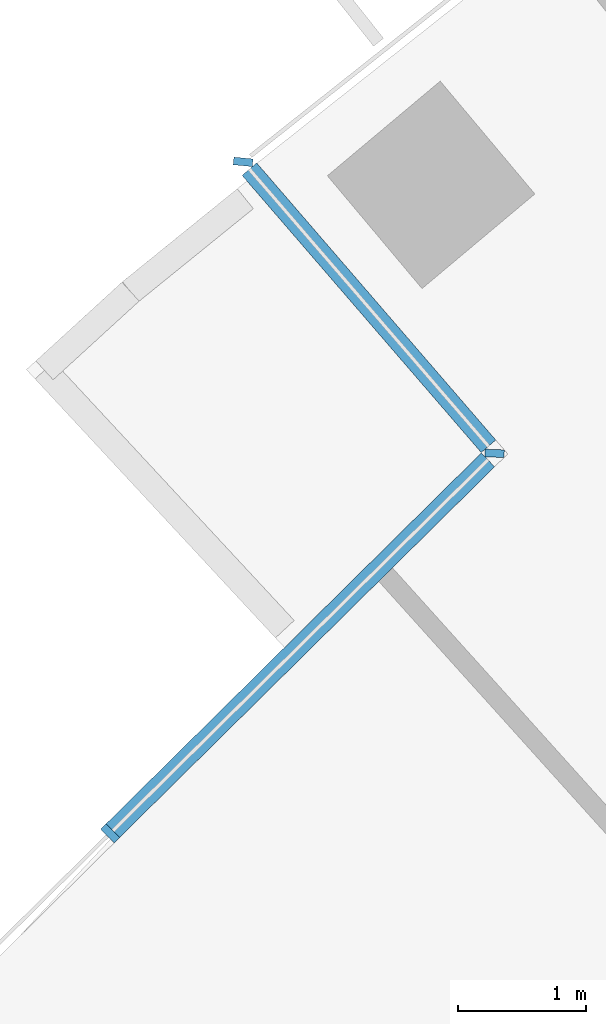
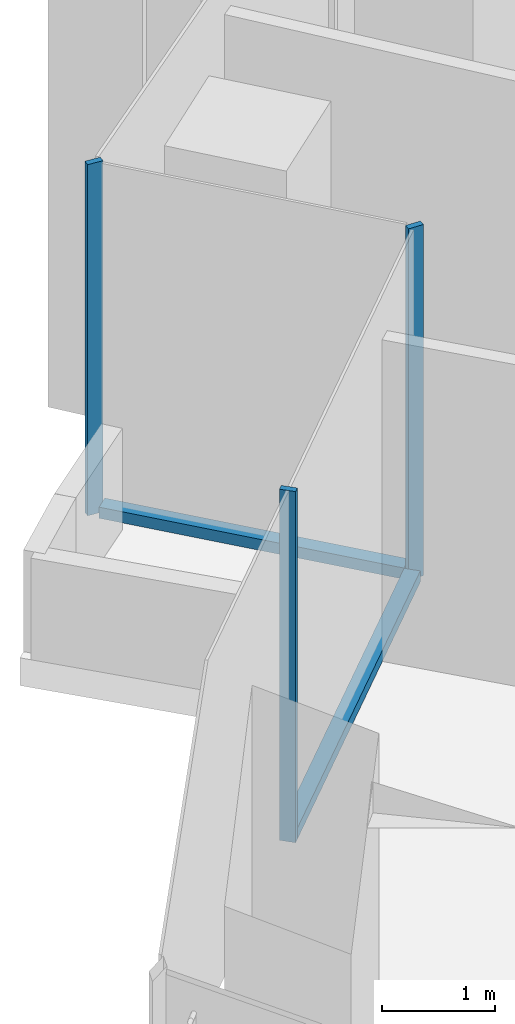
# One storey, part 3 of 21: 5 members, 2 elements without a shape of their own.
"""IFC4 building model written with IfcOpenShell, lengths in metres."""

from ifc_helpers import new_model, si_unit, direction, frame, origin, origin_2d, place, context, subcontext, project, spatial, rectangle, extrude, material, layer, layer_set, material_profile, profile_set, type_object, element, aggregate, save


model = new_model("IFC4")

# Units and contexts
model_context = context("Model", 3, precision=1e-05, world=origin(), true_north=direction((0.0, 1.0)))
body_context = subcontext(model_context, "Body", "Model", "MODEL_VIEW")
ifc_project = project(units=[si_unit("LENGTHUNIT", "METRE"), si_unit("AREAUNIT", "SQUARE_METRE"), si_unit("VOLUMEUNIT", "CUBIC_METRE"), si_unit("PLANEANGLEUNIT", "RADIAN"), si_unit("MASSUNIT", "GRAM", prefix="KILO")], contexts=[model_context])

# Site, building, storey
site_placement = place(None, origin())
site = spatial("IfcSite", under=ifc_project, at=site_placement, CompositionType="ELEMENT")
building_placement = place(site_placement, origin())
building = spatial("IfcBuilding", under=site, at=building_placement, Name="Stone Belt Terrace Tower", CompositionType="ELEMENT")
storey_placement = place(building_placement, frame((0.0, 0.0, 113.60009765625)))
storey = spatial("IfcBuildingStorey", under=building, at=storey_placement, Name="L27", CompositionType="ELEMENT", Elevation=113.60009765625)

# Curtain wall, member
ifc_material = material(Name="Aluminium 6063-T6 anodised frame", Category="aluminium")
ifc_layer = layer(ifc_material, 0.14990234375)
ifc_layer_set = layer_set([ifc_layer], Name="CW-C stick curtain wall, horn ends and notches")
curtain_wall_type = type_object("IfcCurtainWallType", Name="CW-C stick curtain wall, horn ends and notches", PredefinedType="NOTDEFINED", material=ifc_layer_set)
curtain_wall_1_placement = place(storey_placement, origin())
curtain_wall_1 = element("IfcCurtainWall", 1, at=curtain_wall_1_placement, inside=storey, type_object=curtain_wall_type, Name="CW-C notch face L27", PredefinedType="NOTDEFINED")
ifc_material_profile_1 = material_profile(ifc_material, rectangle(XDim=0.14990234375, YDim=0.06005859375, at=origin_2d()), Name="Aluminium 6063-T6 60x150")
ifc_profile_set_1 = profile_set([ifc_material_profile_1], Name="Aluminium 6063-T6 anodised frame")
member_type_1 = type_object("IfcMemberType", Name="CW-C mullion 60 x 150", PredefinedType="MULLION", material=ifc_profile_set_1)
member_1_placement = place(storey_placement, frame((-43.55224609375, 50.357421875, 0.0), z_axis=(0.0, 0.0, 1.0), x_axis=(0.995550667731, -0.094227745281, 0.0)))
member_1 = element("IfcMember", 2, at=member_1_placement, type_object=member_type_1, Name="CW-C mullion 1", PredefinedType="MULLION", context=body_context, shape_type="SweptSolid", body=[
    extrude(rectangle(XDim=0.14990234375, YDim=0.06005859375, at=origin_2d()), origin(), (0.0, 0.0, 1.0), 3.7998046875),
])

# Curtain wall, members
curtain_wall_2_placement = place(storey_placement, origin())
curtain_wall_2 = element("IfcCurtainWall", 3, at=curtain_wall_2_placement, inside=storey, type_object=curtain_wall_type, Name="CW-C notch face L27", PredefinedType="NOTDEFINED")
member_2_placement = place(storey_placement, frame((-41.587158203125, 48.079833984375, 0.0), z_axis=(0.0, 0.0, 1.0), x_axis=(0.999214866192, -0.039618823574, 0.0)))
member_2 = element("IfcMember", 4, at=member_2_placement, type_object=member_type_1, Name="CW-C mullion 1", PredefinedType="MULLION", context=body_context, shape_type="SweptSolid", body=[
    extrude(rectangle(XDim=0.14990234375, YDim=0.06005859375, at=origin_2d()), origin(), (0.0, 0.0, 1.0), 3.7998046875),
])
member_3_placement = place(storey_placement, frame((-44.5908203125, 45.110595703125, 0.0), z_axis=(0.0, 0.0, 1.0), x_axis=(0.702997525353, -0.711192294213, 0.0)))
member_3 = element("IfcMember", 5, at=member_3_placement, type_object=member_type_1, Name="CW-C mullion 2", PredefinedType="MULLION", context=body_context, shape_type="SweptSolid", body=[
    extrude(rectangle(XDim=0.14990234375, YDim=0.06005859375, at=origin_2d()), origin(), (0.0, 0.0, 1.0), 3.7998046875),
])

# Member
ifc_material_profile_2 = material_profile(ifc_material, rectangle(XDim=0.14990234375, YDim=0.1201171875, at=origin_2d()), Name="Aluminium 6063-T6 150x120")
ifc_profile_set_2 = profile_set([ifc_material_profile_2], Name="Aluminium 6063-T6 anodised frame")
member_type_2 = type_object("IfcMemberType", Name="CW-C transom 120 x 150", PredefinedType="USERDEFINED", material=ifc_profile_set_2)
member_4_placement = place(storey_placement, frame((-43.50341796875, 50.300537109375, 0.059814453125), z_axis=(0.653346473244, -0.757059037262, 0.0), x_axis=(0.757059037262, 0.653346473244, 0.0)))
member_4 = element("IfcMember", 6, at=member_4_placement, type_object=member_type_2, Name="CW-C transom 1.1", ObjectType="TRANSOM", PredefinedType="USERDEFINED", context=body_context, shape_type="SweptSolid", body=[
    extrude(rectangle(XDim=0.14990234375, YDim=0.1201171875, at=origin_2d()), origin(), (0.0, 0.0, 1.0), 2.860107421875),
])

aggregate(curtain_wall_1, [member_1, member_4])

member_5_placement = place(storey_placement, frame((-41.63916015625, 48.028564453125, 0.059814453125), z_axis=(-0.711183244055, -0.703006680889, 0.0), x_axis=(0.703006680889, -0.711183244055, 0.0)))
member_5 = element("IfcMember", 7, at=member_5_placement, type_object=member_type_2, Name="CW-C transom 1.1", ObjectType="TRANSOM", PredefinedType="USERDEFINED", context=body_context, shape_type="SweptSolid", body=[
    extrude(rectangle(XDim=0.14990234375, YDim=0.1201171875, at=origin_2d()), origin(), (0.0, 0.0, 1.0), 4.12060546875),
])

aggregate(curtain_wall_2, [member_2, member_3, member_5])

save(model, "model.ifc")
